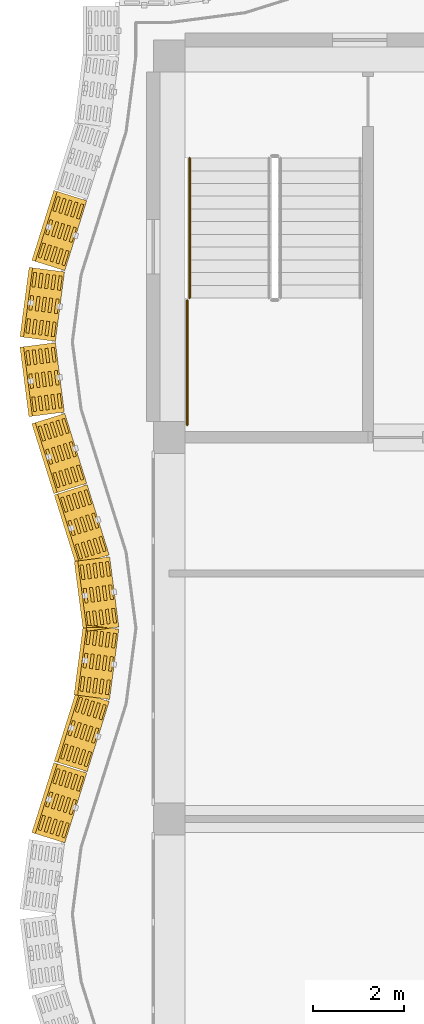
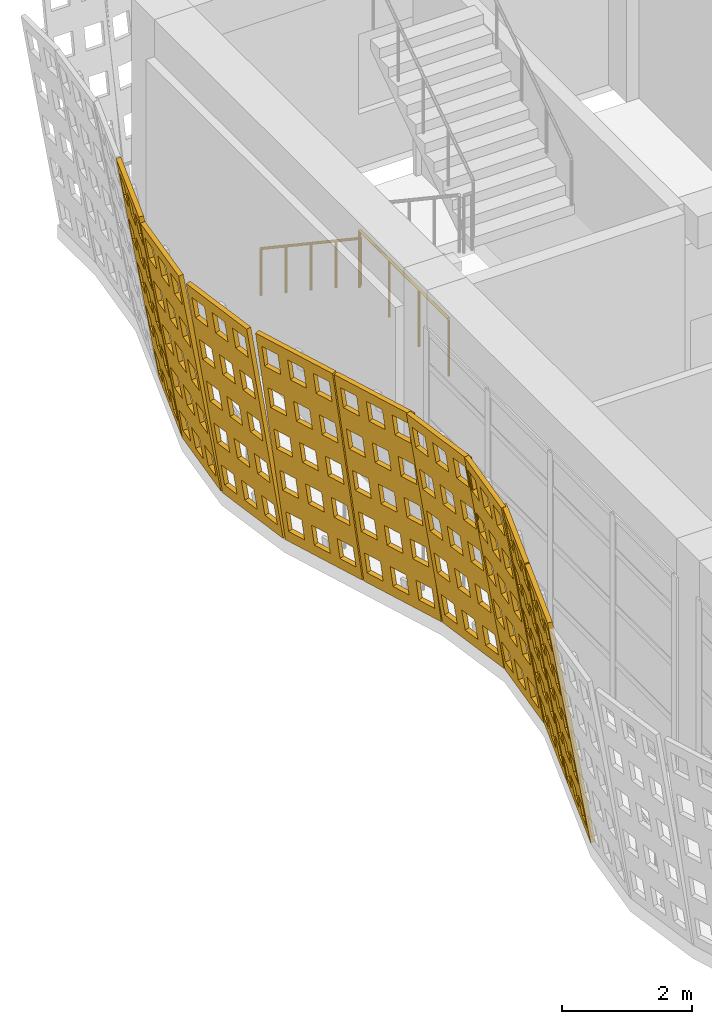
# One storey, part 157 of 163: 9 coverings, 2 railings.
"""IFC4 building model written with IfcOpenShell, lengths in metres."""

from ifc_helpers import new_model, si_unit, direction, frame, origin, origin_2d, place, context, subcontext, project, spatial, polyline, circle, outline, extrude, material, layer, layer_set, type_object, element, save


model = new_model("IFC4")

# Units and contexts
model_context = context("Model", 3, precision=1e-05, world=origin(), true_north=direction((0.0, 1.0)))
body_context = subcontext(model_context, "Body", "Model", "MODEL_VIEW")
ifc_project = project(units=[si_unit("LENGTHUNIT", "METRE"), si_unit("AREAUNIT", "SQUARE_METRE"), si_unit("VOLUMEUNIT", "CUBIC_METRE"), si_unit("PLANEANGLEUNIT", "RADIAN"), si_unit("MASSUNIT", "GRAM", prefix="KILO")], contexts=[model_context])

# Site, building, storey
site_placement = place(None, origin())
site = spatial("IfcSite", under=ifc_project, at=site_placement, CompositionType="ELEMENT")
building_placement = place(site_placement, origin())
building = spatial("IfcBuilding", under=site, at=building_placement, Name="Rain Tree Exposition and Congress Centre", CompositionType="ELEMENT")
storey_placement = place(building_placement, frame((0.0, 0.0, 10.5)))
storey = spatial("IfcBuildingStorey", under=building, at=storey_placement, Name="L02", CompositionType="ELEMENT", Elevation=10.5)

# Coverings
ifc_material_1 = material(Name="Perforated terracotta", Category="masonry")
ifc_layer = layer(ifc_material_1, 0.080078125)
ifc_layer_set = layer_set([ifc_layer], Name="Perforated terracotta")
covering_type = type_object("IfcCoveringType", Name="Terracotta screen 80", PredefinedType="CLADDING", material=ifc_layer_set)
covering_1_placement = place(storey_placement, frame((-1.8876953125, 47.25, 0.0), z_axis=(0.942029390639, -0.295717964052, 0.158529217842), x_axis=(0.29950542383, 0.954094597562, 0.0)))
element("IfcCovering", 1, at=covering_1_placement, inside=storey, type_object=covering_type, Name="wing/screen/L02/105", PredefinedType="CLADDING", context=body_context, shape_type="SweptSolid", body=[
    extrude(outline(polyline([(-1.62890625, 0.0), (-1.62890625, 4.291259765625), (-0.014892578125, 4.291259765625), (-0.014892578125, 0.0), (-1.62890625, 0.0)]), holes=[polyline([(-0.1171875, 0.221435546875), (-0.1171875, 0.63671875), (-0.45068359375, 0.63671875), (-0.45068359375, 0.221435546875), (-0.1171875, 0.221435546875)]), polyline([(-0.1171875, 1.07958984375), (-0.1171875, 1.4951171875), (-0.45068359375, 1.4951171875), (-0.45068359375, 1.07958984375), (-0.1171875, 1.07958984375)]), polyline([(-0.1171875, 1.93798828125), (-0.1171875, 2.353271484375), (-0.45068359375, 2.353271484375), (-0.45068359375, 1.93798828125), (-0.1171875, 1.93798828125)]), polyline([(-0.1171875, 2.796142578125), (-0.1171875, 3.21142578125), (-0.45068359375, 3.21142578125), (-0.45068359375, 2.796142578125), (-0.1171875, 2.796142578125)]), polyline([(-0.1171875, 3.654541015625), (-0.1171875, 4.06982421875), (-0.45068359375, 4.06982421875), (-0.45068359375, 3.654541015625), (-0.1171875, 3.654541015625)]), polyline([(-0.6552734375, 0.221435546875), (-0.6552734375, 0.63671875), (-0.98876953125, 0.63671875), (-0.98876953125, 0.221435546875), (-0.6552734375, 0.221435546875)]), polyline([(-0.6552734375, 1.07958984375), (-0.6552734375, 1.4951171875), (-0.98876953125, 1.4951171875), (-0.98876953125, 1.07958984375), (-0.6552734375, 1.07958984375)]), polyline([(-0.6552734375, 1.93798828125), (-0.6552734375, 2.353271484375), (-0.98876953125, 2.353271484375), (-0.98876953125, 1.93798828125), (-0.6552734375, 1.93798828125)]), polyline([(-0.6552734375, 2.796142578125), (-0.6552734375, 3.21142578125), (-0.98876953125, 3.21142578125), (-0.98876953125, 2.796142578125), (-0.6552734375, 2.796142578125)]), polyline([(-0.6552734375, 3.654541015625), (-0.6552734375, 4.06982421875), (-0.98876953125, 4.06982421875), (-0.98876953125, 3.654541015625), (-0.6552734375, 3.654541015625)]), polyline([(-1.193115234375, 0.221435546875), (-1.193115234375, 0.63671875), (-1.526611328125, 0.63671875), (-1.526611328125, 0.221435546875), (-1.193115234375, 0.221435546875)]), polyline([(-1.193115234375, 1.07958984375), (-1.193115234375, 1.4951171875), (-1.526611328125, 1.4951171875), (-1.526611328125, 1.07958984375), (-1.193115234375, 1.07958984375)]), polyline([(-1.193115234375, 1.93798828125), (-1.193115234375, 2.353271484375), (-1.526611328125, 2.353271484375), (-1.526611328125, 1.93798828125), (-1.193115234375, 1.93798828125)]), polyline([(-1.193115234375, 2.796142578125), (-1.193115234375, 3.21142578125), (-1.526611328125, 3.21142578125), (-1.526611328125, 2.796142578125), (-1.193115234375, 2.796142578125)]), polyline([(-1.193115234375, 3.654541015625), (-1.193115234375, 4.06982421875), (-1.526611328125, 4.06982421875), (-1.526611328125, 3.654541015625), (-1.193115234375, 3.654541015625)])]), origin(), (0.0, 0.0, 1.0), 0.080078125),
])
covering_2_placement = place(storey_placement, frame((-2.382568359375, 45.675048828125, 0.0), z_axis=(0.978036007662, -0.127967328105, 0.16452942185), x_axis=(0.129735338481, 0.991548658387, 0.0)))
element("IfcCovering", 2, at=covering_2_placement, inside=storey, type_object=covering_type, Name="wing/screen/L02/106", PredefinedType="CLADDING", context=body_context, shape_type="SweptSolid", body=[
    extrude(outline(polyline([(-1.56298828125, 0.0), (-1.56298828125, 4.295166015625), (-0.02197265625, 4.295166015625), (-0.02197265625, 0.0), (-1.56298828125, 0.0)]), holes=[polyline([(-0.11962890625, 0.2216796875), (-0.11962890625, 0.63720703125), (-0.43798828125, 0.63720703125), (-0.43798828125, 0.2216796875), (-0.11962890625, 0.2216796875)]), polyline([(-0.11962890625, 1.080810546875), (-0.11962890625, 1.496337890625), (-0.43798828125, 1.496337890625), (-0.43798828125, 1.080810546875), (-0.11962890625, 1.080810546875)]), polyline([(-0.11962890625, 1.939697265625), (-0.11962890625, 2.35546875), (-0.43798828125, 2.35546875), (-0.43798828125, 1.939697265625), (-0.11962890625, 1.939697265625)]), polyline([(-0.11962890625, 2.798583984375), (-0.11962890625, 3.21435546875), (-0.43798828125, 3.21435546875), (-0.43798828125, 2.798583984375), (-0.11962890625, 2.798583984375)]), polyline([(-0.11962890625, 3.65771484375), (-0.11962890625, 4.073486328125), (-0.43798828125, 4.073486328125), (-0.43798828125, 3.65771484375), (-0.11962890625, 3.65771484375)]), polyline([(-0.63330078125, 0.2216796875), (-0.63330078125, 0.63720703125), (-0.95166015625, 0.63720703125), (-0.95166015625, 0.2216796875), (-0.63330078125, 0.2216796875)]), polyline([(-0.63330078125, 1.080810546875), (-0.63330078125, 1.496337890625), (-0.95166015625, 1.496337890625), (-0.95166015625, 1.080810546875), (-0.63330078125, 1.080810546875)]), polyline([(-0.63330078125, 1.939697265625), (-0.63330078125, 2.35546875), (-0.95166015625, 2.35546875), (-0.95166015625, 1.939697265625), (-0.63330078125, 1.939697265625)]), polyline([(-0.63330078125, 2.798583984375), (-0.63330078125, 3.21435546875), (-0.95166015625, 3.21435546875), (-0.95166015625, 2.798583984375), (-0.63330078125, 2.798583984375)]), polyline([(-0.63330078125, 3.65771484375), (-0.63330078125, 4.073486328125), (-0.95166015625, 4.073486328125), (-0.95166015625, 3.65771484375), (-0.63330078125, 3.65771484375)]), polyline([(-1.146728515625, 0.2216796875), (-1.146728515625, 0.63720703125), (-1.46533203125, 0.63720703125), (-1.46533203125, 0.2216796875), (-1.146728515625, 0.2216796875)]), polyline([(-1.146728515625, 1.080810546875), (-1.146728515625, 1.496337890625), (-1.46533203125, 1.496337890625), (-1.46533203125, 1.080810546875), (-1.146728515625, 1.080810546875)]), polyline([(-1.146728515625, 1.939697265625), (-1.146728515625, 2.35546875), (-1.46533203125, 2.35546875), (-1.46533203125, 1.939697265625), (-1.146728515625, 1.939697265625)]), polyline([(-1.146728515625, 2.798583984375), (-1.146728515625, 3.21435546875), (-1.46533203125, 3.21435546875), (-1.46533203125, 2.798583984375), (-1.146728515625, 2.798583984375)]), polyline([(-1.146728515625, 3.65771484375), (-1.146728515625, 4.073486328125), (-1.46533203125, 4.073486328125), (-1.46533203125, 3.65771484375), (-1.146728515625, 3.65771484375)])]), origin(), (0.0, 0.0, 1.0), 0.080078125),
])
covering_3_placement = place(storey_placement, frame((-2.587646484375, 44.10009765625, 0.0), z_axis=(0.978413018317, 0.124968640969, 0.164592844203), x_axis=(-0.126696580272, 0.991941518713, 0.0)))
element("IfcCovering", 3, at=covering_3_placement, inside=storey, type_object=covering_type, Name="wing/screen/L02/107", PredefinedType="CLADDING", context=body_context, shape_type="SweptSolid", body=[
    extrude(outline(polyline([(-1.56640625, 0.0), (-1.56640625, 4.295166015625), (-0.025390625, 4.295166015625), (-0.025390625, 0.0), (-1.56640625, 0.0)]), holes=[polyline([(-0.123046875, 0.2216796875), (-0.123046875, 0.63720703125), (-0.44140625, 0.63720703125), (-0.44140625, 0.2216796875), (-0.123046875, 0.2216796875)]), polyline([(-0.123046875, 1.080810546875), (-0.123046875, 1.496337890625), (-0.44140625, 1.496337890625), (-0.44140625, 1.080810546875), (-0.123046875, 1.080810546875)]), polyline([(-0.123046875, 1.939697265625), (-0.123046875, 2.35546875), (-0.44140625, 2.35546875), (-0.44140625, 1.939697265625), (-0.123046875, 1.939697265625)]), polyline([(-0.123046875, 2.798583984375), (-0.123046875, 3.21435546875), (-0.44140625, 3.21435546875), (-0.44140625, 2.798583984375), (-0.123046875, 2.798583984375)]), polyline([(-0.123046875, 3.65771484375), (-0.123046875, 4.073486328125), (-0.44140625, 4.073486328125), (-0.44140625, 3.65771484375), (-0.123046875, 3.65771484375)]), polyline([(-0.63671875, 0.2216796875), (-0.63671875, 0.63720703125), (-0.955078125, 0.63720703125), (-0.955078125, 0.2216796875), (-0.63671875, 0.2216796875)]), polyline([(-0.63671875, 1.080810546875), (-0.63671875, 1.496337890625), (-0.955078125, 1.496337890625), (-0.955078125, 1.080810546875), (-0.63671875, 1.080810546875)]), polyline([(-0.63671875, 1.939697265625), (-0.63671875, 2.35546875), (-0.955078125, 2.35546875), (-0.955078125, 1.939697265625), (-0.63671875, 1.939697265625)]), polyline([(-0.63671875, 2.798583984375), (-0.63671875, 3.21435546875), (-0.955078125, 3.21435546875), (-0.955078125, 2.798583984375), (-0.63671875, 2.798583984375)]), polyline([(-0.63671875, 3.65771484375), (-0.63671875, 4.073486328125), (-0.955078125, 4.073486328125), (-0.955078125, 3.65771484375), (-0.63671875, 3.65771484375)]), polyline([(-1.150146484375, 0.2216796875), (-1.150146484375, 0.63720703125), (-1.46875, 0.63720703125), (-1.46875, 0.2216796875), (-1.150146484375, 0.2216796875)]), polyline([(-1.150146484375, 1.080810546875), (-1.150146484375, 1.496337890625), (-1.46875, 1.496337890625), (-1.46875, 1.080810546875), (-1.150146484375, 1.080810546875)]), polyline([(-1.150146484375, 1.939697265625), (-1.150146484375, 2.35546875), (-1.46875, 2.35546875), (-1.46875, 1.939697265625), (-1.150146484375, 1.939697265625)]), polyline([(-1.150146484375, 2.798583984375), (-1.150146484375, 3.21435546875), (-1.46875, 3.21435546875), (-1.46875, 2.798583984375), (-1.150146484375, 2.798583984375)]), polyline([(-1.150146484375, 3.65771484375), (-1.150146484375, 4.073486328125), (-1.46875, 4.073486328125), (-1.46875, 3.65771484375), (-1.150146484375, 3.65771484375)])]), origin(), (0.0, 0.0, 1.0), 0.080078125),
])
covering_4_placement = place(storey_placement, frame((-2.382568359375, 42.52490234375, 0.0), z_axis=(0.942029390639, 0.295717964052, 0.158529217842), x_axis=(-0.29950542383, 0.954094597562, 0.0)))
element("IfcCovering", 4, at=covering_4_placement, inside=storey, type_object=covering_type, Name="wing/screen/L02/108", PredefinedType="CLADDING", context=body_context, shape_type="SweptSolid", body=[
    extrude(outline(polyline([(-1.635986328125, 0.0), (-1.635986328125, 4.291259765625), (-0.02197265625, 4.291259765625), (-0.02197265625, 0.0), (-1.635986328125, 0.0)]), holes=[polyline([(-0.124267578125, 0.221435546875), (-0.124267578125, 0.63671875), (-0.457763671875, 0.63671875), (-0.457763671875, 0.221435546875), (-0.124267578125, 0.221435546875)]), polyline([(-0.124267578125, 1.07958984375), (-0.124267578125, 1.4951171875), (-0.457763671875, 1.4951171875), (-0.457763671875, 1.07958984375), (-0.124267578125, 1.07958984375)]), polyline([(-0.124267578125, 1.93798828125), (-0.124267578125, 2.353271484375), (-0.457763671875, 2.353271484375), (-0.457763671875, 1.93798828125), (-0.124267578125, 1.93798828125)]), polyline([(-0.124267578125, 2.796142578125), (-0.124267578125, 3.21142578125), (-0.457763671875, 3.21142578125), (-0.457763671875, 2.796142578125), (-0.124267578125, 2.796142578125)]), polyline([(-0.124267578125, 3.654541015625), (-0.124267578125, 4.06982421875), (-0.457763671875, 4.06982421875), (-0.457763671875, 3.654541015625), (-0.124267578125, 3.654541015625)]), polyline([(-0.662109375, 0.221435546875), (-0.662109375, 0.63671875), (-0.995849609375, 0.63671875), (-0.995849609375, 0.221435546875), (-0.662109375, 0.221435546875)]), polyline([(-0.662109375, 1.07958984375), (-0.662109375, 1.4951171875), (-0.995849609375, 1.4951171875), (-0.995849609375, 1.07958984375), (-0.662109375, 1.07958984375)]), polyline([(-0.662109375, 1.93798828125), (-0.662109375, 2.353271484375), (-0.995849609375, 2.353271484375), (-0.995849609375, 1.93798828125), (-0.662109375, 1.93798828125)]), polyline([(-0.662109375, 2.796142578125), (-0.662109375, 3.21142578125), (-0.995849609375, 3.21142578125), (-0.995849609375, 2.796142578125), (-0.662109375, 2.796142578125)]), polyline([(-0.662109375, 3.654541015625), (-0.662109375, 4.06982421875), (-0.995849609375, 4.06982421875), (-0.995849609375, 3.654541015625), (-0.662109375, 3.654541015625)]), polyline([(-1.2001953125, 0.221435546875), (-1.2001953125, 0.63671875), (-1.53369140625, 0.63671875), (-1.53369140625, 0.221435546875), (-1.2001953125, 0.221435546875)]), polyline([(-1.2001953125, 1.07958984375), (-1.2001953125, 1.4951171875), (-1.53369140625, 1.4951171875), (-1.53369140625, 1.07958984375), (-1.2001953125, 1.07958984375)]), polyline([(-1.2001953125, 1.93798828125), (-1.2001953125, 2.353271484375), (-1.53369140625, 2.353271484375), (-1.53369140625, 1.93798828125), (-1.2001953125, 1.93798828125)]), polyline([(-1.2001953125, 2.796142578125), (-1.2001953125, 3.21142578125), (-1.53369140625, 3.21142578125), (-1.53369140625, 2.796142578125), (-1.2001953125, 2.796142578125)]), polyline([(-1.2001953125, 3.654541015625), (-1.2001953125, 4.06982421875), (-1.53369140625, 4.06982421875), (-1.53369140625, 3.654541015625), (-1.2001953125, 3.654541015625)])]), origin(), (0.0, 0.0, 1.0), 0.080078125),
])
covering_5_placement = place(storey_placement, frame((-1.8876953125, 40.949951171875, 0.0), z_axis=(0.942029390639, 0.295717964052, 0.158529217842), x_axis=(-0.29950542383, 0.954094597562, 0.0)))
element("IfcCovering", 5, at=covering_5_placement, inside=storey, type_object=covering_type, Name="wing/screen/L02/109", PredefinedType="CLADDING", context=body_context, shape_type="SweptSolid", body=[
    extrude(outline(polyline([(-1.635986328125, 0.0), (-1.635986328125, 4.291259765625), (-0.014892578125, 4.291259765625), (-0.014892578125, 0.0), (-1.635986328125, 0.0)]), holes=[polyline([(-0.11767578125, 0.221435546875), (-0.11767578125, 0.63671875), (-0.45263671875, 0.63671875), (-0.45263671875, 0.221435546875), (-0.11767578125, 0.221435546875)]), polyline([(-0.11767578125, 1.07958984375), (-0.11767578125, 1.4951171875), (-0.45263671875, 1.4951171875), (-0.45263671875, 1.07958984375), (-0.11767578125, 1.07958984375)]), polyline([(-0.11767578125, 1.93798828125), (-0.11767578125, 2.353271484375), (-0.45263671875, 2.353271484375), (-0.45263671875, 1.93798828125), (-0.11767578125, 1.93798828125)]), polyline([(-0.11767578125, 2.796142578125), (-0.11767578125, 3.21142578125), (-0.45263671875, 3.21142578125), (-0.45263671875, 2.796142578125), (-0.11767578125, 2.796142578125)]), polyline([(-0.11767578125, 3.654541015625), (-0.11767578125, 4.06982421875), (-0.45263671875, 4.06982421875), (-0.45263671875, 3.654541015625), (-0.11767578125, 3.654541015625)]), polyline([(-0.657958984375, 0.221435546875), (-0.657958984375, 0.63671875), (-0.992919921875, 0.63671875), (-0.992919921875, 0.221435546875), (-0.657958984375, 0.221435546875)]), polyline([(-0.657958984375, 1.07958984375), (-0.657958984375, 1.4951171875), (-0.992919921875, 1.4951171875), (-0.992919921875, 1.07958984375), (-0.657958984375, 1.07958984375)]), polyline([(-0.657958984375, 1.93798828125), (-0.657958984375, 2.353271484375), (-0.992919921875, 2.353271484375), (-0.992919921875, 1.93798828125), (-0.657958984375, 1.93798828125)]), polyline([(-0.657958984375, 2.796142578125), (-0.657958984375, 3.21142578125), (-0.992919921875, 3.21142578125), (-0.992919921875, 2.796142578125), (-0.657958984375, 2.796142578125)]), polyline([(-0.657958984375, 3.654541015625), (-0.657958984375, 4.06982421875), (-0.992919921875, 4.06982421875), (-0.992919921875, 3.654541015625), (-0.657958984375, 3.654541015625)]), polyline([(-1.1982421875, 0.221435546875), (-1.1982421875, 0.63671875), (-1.533203125, 0.63671875), (-1.533203125, 0.221435546875), (-1.1982421875, 0.221435546875)]), polyline([(-1.1982421875, 1.07958984375), (-1.1982421875, 1.4951171875), (-1.533203125, 1.4951171875), (-1.533203125, 1.07958984375), (-1.1982421875, 1.07958984375)]), polyline([(-1.1982421875, 1.93798828125), (-1.1982421875, 2.353271484375), (-1.533203125, 2.353271484375), (-1.533203125, 1.93798828125), (-1.1982421875, 1.93798828125)]), polyline([(-1.1982421875, 2.796142578125), (-1.1982421875, 3.21142578125), (-1.533203125, 3.21142578125), (-1.533203125, 2.796142578125), (-1.1982421875, 2.796142578125)]), polyline([(-1.1982421875, 3.654541015625), (-1.1982421875, 4.06982421875), (-1.533203125, 4.06982421875), (-1.533203125, 3.654541015625), (-1.1982421875, 3.654541015625)])]), origin(), (0.0, 0.0, 1.0), 0.080078125),
])
covering_6_placement = place(storey_placement, frame((-1.392578125, 39.375, 0.0), z_axis=(0.978036007662, 0.127967328105, 0.16452942185), x_axis=(-0.129735338481, 0.991548658387, 0.0)))
element("IfcCovering", 6, at=covering_6_placement, inside=storey, type_object=covering_type, Name="wing/screen/L02/110", PredefinedType="CLADDING", context=body_context, shape_type="SweptSolid", body=[
    extrude(outline(polyline([(-1.5732421875, 0.0), (-1.5732421875, 4.295166015625), (-0.014892578125, 4.295166015625), (-0.014892578125, 0.0), (-1.5732421875, 0.0)]), holes=[polyline([(-0.11376953125, 0.2216796875), (-0.11376953125, 0.63720703125), (-0.435791015625, 0.63720703125), (-0.435791015625, 0.2216796875), (-0.11376953125, 0.2216796875)]), polyline([(-0.11376953125, 1.080810546875), (-0.11376953125, 1.496337890625), (-0.435791015625, 1.496337890625), (-0.435791015625, 1.080810546875), (-0.11376953125, 1.080810546875)]), polyline([(-0.11376953125, 1.939697265625), (-0.11376953125, 2.35546875), (-0.435791015625, 2.35546875), (-0.435791015625, 1.939697265625), (-0.11376953125, 1.939697265625)]), polyline([(-0.11376953125, 2.798583984375), (-0.11376953125, 3.21435546875), (-0.435791015625, 3.21435546875), (-0.435791015625, 2.798583984375), (-0.11376953125, 2.798583984375)]), polyline([(-0.11376953125, 3.65771484375), (-0.11376953125, 4.073486328125), (-0.435791015625, 4.073486328125), (-0.435791015625, 3.65771484375), (-0.11376953125, 3.65771484375)]), polyline([(-0.633056640625, 0.2216796875), (-0.633056640625, 0.63720703125), (-0.955078125, 0.63720703125), (-0.955078125, 0.2216796875), (-0.633056640625, 0.2216796875)]), polyline([(-0.633056640625, 1.080810546875), (-0.633056640625, 1.496337890625), (-0.955078125, 1.496337890625), (-0.955078125, 1.080810546875), (-0.633056640625, 1.080810546875)]), polyline([(-0.633056640625, 1.939697265625), (-0.633056640625, 2.35546875), (-0.955078125, 2.35546875), (-0.955078125, 1.939697265625), (-0.633056640625, 1.939697265625)]), polyline([(-0.633056640625, 2.798583984375), (-0.633056640625, 3.21435546875), (-0.955078125, 3.21435546875), (-0.955078125, 2.798583984375), (-0.633056640625, 2.798583984375)]), polyline([(-0.633056640625, 3.65771484375), (-0.633056640625, 4.073486328125), (-0.955078125, 4.073486328125), (-0.955078125, 3.65771484375), (-0.633056640625, 3.65771484375)]), polyline([(-1.152587890625, 0.2216796875), (-1.152587890625, 0.63720703125), (-1.474609375, 0.63720703125), (-1.474609375, 0.2216796875), (-1.152587890625, 0.2216796875)]), polyline([(-1.152587890625, 1.080810546875), (-1.152587890625, 1.496337890625), (-1.474609375, 1.496337890625), (-1.474609375, 1.080810546875), (-1.152587890625, 1.080810546875)]), polyline([(-1.152587890625, 1.939697265625), (-1.152587890625, 2.35546875), (-1.474609375, 2.35546875), (-1.474609375, 1.939697265625), (-1.152587890625, 1.939697265625)]), polyline([(-1.152587890625, 2.798583984375), (-1.152587890625, 3.21435546875), (-1.474609375, 3.21435546875), (-1.474609375, 2.798583984375), (-1.152587890625, 2.798583984375)]), polyline([(-1.152587890625, 3.65771484375), (-1.152587890625, 4.073486328125), (-1.474609375, 4.073486328125), (-1.474609375, 3.65771484375), (-1.152587890625, 3.65771484375)])]), origin(), (0.0, 0.0, 1.0), 0.080078125),
])
covering_7_placement = place(storey_placement, frame((-1.1875, 37.800048828125, 0.0), z_axis=(0.9779030419, -0.128349774249, 0.165021138321), x_axis=(0.130133906157, 0.991496427865, 0.0)))
element("IfcCovering", 7, at=covering_7_placement, inside=storey, type_object=covering_type, Name="wing/screen/L02/111", PredefinedType="CLADDING", context=body_context, shape_type="SweptSolid", body=[
    extrude(outline(polyline([(-1.5732421875, 0.0), (-1.5732421875, 4.295166015625), (-0.014892578125, 4.295166015625), (-0.014892578125, 0.0), (-1.5732421875, 0.0)]), holes=[polyline([(-0.11376953125, 0.2216796875), (-0.11376953125, 0.63720703125), (-0.435791015625, 0.63720703125), (-0.435791015625, 0.2216796875), (-0.11376953125, 0.2216796875)]), polyline([(-0.11376953125, 1.080810546875), (-0.11376953125, 1.496337890625), (-0.435791015625, 1.496337890625), (-0.435791015625, 1.080810546875), (-0.11376953125, 1.080810546875)]), polyline([(-0.11376953125, 1.939697265625), (-0.11376953125, 2.35546875), (-0.435791015625, 2.35546875), (-0.435791015625, 1.939697265625), (-0.11376953125, 1.939697265625)]), polyline([(-0.11376953125, 2.798583984375), (-0.11376953125, 3.21435546875), (-0.435791015625, 3.21435546875), (-0.435791015625, 2.798583984375), (-0.11376953125, 2.798583984375)]), polyline([(-0.11376953125, 3.65771484375), (-0.11376953125, 4.073486328125), (-0.435791015625, 4.073486328125), (-0.435791015625, 3.65771484375), (-0.11376953125, 3.65771484375)]), polyline([(-0.633056640625, 0.2216796875), (-0.633056640625, 0.63720703125), (-0.955078125, 0.63720703125), (-0.955078125, 0.2216796875), (-0.633056640625, 0.2216796875)]), polyline([(-0.633056640625, 1.080810546875), (-0.633056640625, 1.496337890625), (-0.955078125, 1.496337890625), (-0.955078125, 1.080810546875), (-0.633056640625, 1.080810546875)]), polyline([(-0.633056640625, 1.939697265625), (-0.633056640625, 2.35546875), (-0.955078125, 2.35546875), (-0.955078125, 1.939697265625), (-0.633056640625, 1.939697265625)]), polyline([(-0.633056640625, 2.798583984375), (-0.633056640625, 3.21435546875), (-0.955078125, 3.21435546875), (-0.955078125, 2.798583984375), (-0.633056640625, 2.798583984375)]), polyline([(-0.633056640625, 3.65771484375), (-0.633056640625, 4.073486328125), (-0.955078125, 4.073486328125), (-0.955078125, 3.65771484375), (-0.633056640625, 3.65771484375)]), polyline([(-1.152587890625, 0.2216796875), (-1.152587890625, 0.63720703125), (-1.474609375, 0.63720703125), (-1.474609375, 0.2216796875), (-1.152587890625, 0.2216796875)]), polyline([(-1.152587890625, 1.080810546875), (-1.152587890625, 1.496337890625), (-1.474609375, 1.496337890625), (-1.474609375, 1.080810546875), (-1.152587890625, 1.080810546875)]), polyline([(-1.152587890625, 1.939697265625), (-1.152587890625, 2.35546875), (-1.474609375, 2.35546875), (-1.474609375, 1.939697265625), (-1.152587890625, 1.939697265625)]), polyline([(-1.152587890625, 2.798583984375), (-1.152587890625, 3.21435546875), (-1.474609375, 3.21435546875), (-1.474609375, 2.798583984375), (-1.152587890625, 2.798583984375)]), polyline([(-1.152587890625, 3.65771484375), (-1.152587890625, 4.073486328125), (-1.474609375, 4.073486328125), (-1.474609375, 3.65771484375), (-1.152587890625, 3.65771484375)])]), origin(), (0.0, 0.0, 1.0), 0.079833984375),
])
covering_8_placement = place(storey_placement, frame((-1.392578125, 36.22509765625, 0.0), z_axis=(0.942029390639, -0.295717964052, 0.158529217842), x_axis=(0.29950542383, 0.954094597562, 0.0)))
element("IfcCovering", 8, at=covering_8_placement, inside=storey, type_object=covering_type, Name="wing/screen/L02/112", PredefinedType="CLADDING", context=body_context, shape_type="SweptSolid", body=[
    extrude(outline(polyline([(-1.635986328125, 0.0), (-1.635986328125, 4.291259765625), (-0.014892578125, 4.291259765625), (-0.014892578125, 0.0), (-1.635986328125, 0.0)]), holes=[polyline([(-0.11767578125, 0.221435546875), (-0.11767578125, 0.63671875), (-0.45263671875, 0.63671875), (-0.45263671875, 0.221435546875), (-0.11767578125, 0.221435546875)]), polyline([(-0.11767578125, 1.07958984375), (-0.11767578125, 1.4951171875), (-0.45263671875, 1.4951171875), (-0.45263671875, 1.07958984375), (-0.11767578125, 1.07958984375)]), polyline([(-0.11767578125, 1.93798828125), (-0.11767578125, 2.353271484375), (-0.45263671875, 2.353271484375), (-0.45263671875, 1.93798828125), (-0.11767578125, 1.93798828125)]), polyline([(-0.11767578125, 2.796142578125), (-0.11767578125, 3.21142578125), (-0.45263671875, 3.21142578125), (-0.45263671875, 2.796142578125), (-0.11767578125, 2.796142578125)]), polyline([(-0.11767578125, 3.654541015625), (-0.11767578125, 4.06982421875), (-0.45263671875, 4.06982421875), (-0.45263671875, 3.654541015625), (-0.11767578125, 3.654541015625)]), polyline([(-0.657958984375, 0.221435546875), (-0.657958984375, 0.63671875), (-0.992919921875, 0.63671875), (-0.992919921875, 0.221435546875), (-0.657958984375, 0.221435546875)]), polyline([(-0.657958984375, 1.07958984375), (-0.657958984375, 1.4951171875), (-0.992919921875, 1.4951171875), (-0.992919921875, 1.07958984375), (-0.657958984375, 1.07958984375)]), polyline([(-0.657958984375, 1.93798828125), (-0.657958984375, 2.353271484375), (-0.992919921875, 2.353271484375), (-0.992919921875, 1.93798828125), (-0.657958984375, 1.93798828125)]), polyline([(-0.657958984375, 2.796142578125), (-0.657958984375, 3.21142578125), (-0.992919921875, 3.21142578125), (-0.992919921875, 2.796142578125), (-0.657958984375, 2.796142578125)]), polyline([(-0.657958984375, 3.654541015625), (-0.657958984375, 4.06982421875), (-0.992919921875, 4.06982421875), (-0.992919921875, 3.654541015625), (-0.657958984375, 3.654541015625)]), polyline([(-1.1982421875, 0.221435546875), (-1.1982421875, 0.63671875), (-1.533203125, 0.63671875), (-1.533203125, 0.221435546875), (-1.1982421875, 0.221435546875)]), polyline([(-1.1982421875, 1.07958984375), (-1.1982421875, 1.4951171875), (-1.533203125, 1.4951171875), (-1.533203125, 1.07958984375), (-1.1982421875, 1.07958984375)]), polyline([(-1.1982421875, 1.93798828125), (-1.1982421875, 2.353271484375), (-1.533203125, 2.353271484375), (-1.533203125, 1.93798828125), (-1.1982421875, 1.93798828125)]), polyline([(-1.1982421875, 2.796142578125), (-1.1982421875, 3.21142578125), (-1.533203125, 3.21142578125), (-1.533203125, 2.796142578125), (-1.1982421875, 2.796142578125)]), polyline([(-1.1982421875, 3.654541015625), (-1.1982421875, 4.06982421875), (-1.533203125, 4.06982421875), (-1.533203125, 3.654541015625), (-1.1982421875, 3.654541015625)])]), origin(), (0.0, 0.0, 1.0), 0.080078125),
])
covering_9_placement = place(storey_placement, frame((-1.8876953125, 34.64990234375, 0.0), z_axis=(0.942029390639, -0.295717964052, 0.158529217842), x_axis=(0.29950542383, 0.954094597562, 0.0)))
element("IfcCovering", 9, at=covering_9_placement, inside=storey, type_object=covering_type, Name="wing/screen/L02/113", PredefinedType="CLADDING", context=body_context, shape_type="SweptSolid", body=[
    extrude(outline(polyline([(-1.62890625, 0.0), (-1.62890625, 4.291259765625), (-0.014892578125, 4.291259765625), (-0.014892578125, 0.0), (-1.62890625, 0.0)]), holes=[polyline([(-0.1171875, 0.221435546875), (-0.1171875, 0.63671875), (-0.45068359375, 0.63671875), (-0.45068359375, 0.221435546875), (-0.1171875, 0.221435546875)]), polyline([(-0.1171875, 1.07958984375), (-0.1171875, 1.4951171875), (-0.45068359375, 1.4951171875), (-0.45068359375, 1.07958984375), (-0.1171875, 1.07958984375)]), polyline([(-0.1171875, 1.93798828125), (-0.1171875, 2.353271484375), (-0.45068359375, 2.353271484375), (-0.45068359375, 1.93798828125), (-0.1171875, 1.93798828125)]), polyline([(-0.1171875, 2.796142578125), (-0.1171875, 3.21142578125), (-0.45068359375, 3.21142578125), (-0.45068359375, 2.796142578125), (-0.1171875, 2.796142578125)]), polyline([(-0.1171875, 3.654541015625), (-0.1171875, 4.06982421875), (-0.45068359375, 4.06982421875), (-0.45068359375, 3.654541015625), (-0.1171875, 3.654541015625)]), polyline([(-0.6552734375, 0.221435546875), (-0.6552734375, 0.63671875), (-0.98876953125, 0.63671875), (-0.98876953125, 0.221435546875), (-0.6552734375, 0.221435546875)]), polyline([(-0.6552734375, 1.07958984375), (-0.6552734375, 1.4951171875), (-0.98876953125, 1.4951171875), (-0.98876953125, 1.07958984375), (-0.6552734375, 1.07958984375)]), polyline([(-0.6552734375, 1.93798828125), (-0.6552734375, 2.353271484375), (-0.98876953125, 2.353271484375), (-0.98876953125, 1.93798828125), (-0.6552734375, 1.93798828125)]), polyline([(-0.6552734375, 2.796142578125), (-0.6552734375, 3.21142578125), (-0.98876953125, 3.21142578125), (-0.98876953125, 2.796142578125), (-0.6552734375, 2.796142578125)]), polyline([(-0.6552734375, 3.654541015625), (-0.6552734375, 4.06982421875), (-0.98876953125, 4.06982421875), (-0.98876953125, 3.654541015625), (-0.6552734375, 3.654541015625)]), polyline([(-1.193115234375, 0.221435546875), (-1.193115234375, 0.63671875), (-1.526611328125, 0.63671875), (-1.526611328125, 0.221435546875), (-1.193115234375, 0.221435546875)]), polyline([(-1.193115234375, 1.07958984375), (-1.193115234375, 1.4951171875), (-1.526611328125, 1.4951171875), (-1.526611328125, 1.07958984375), (-1.193115234375, 1.07958984375)]), polyline([(-1.193115234375, 1.93798828125), (-1.193115234375, 2.353271484375), (-1.526611328125, 2.353271484375), (-1.526611328125, 1.93798828125), (-1.193115234375, 1.93798828125)]), polyline([(-1.193115234375, 2.796142578125), (-1.193115234375, 3.21142578125), (-1.526611328125, 3.21142578125), (-1.526611328125, 2.796142578125), (-1.193115234375, 2.796142578125)]), polyline([(-1.193115234375, 3.654541015625), (-1.193115234375, 4.06982421875), (-1.526611328125, 4.06982421875), (-1.526611328125, 3.654541015625), (-1.193115234375, 3.654541015625)])]), origin(), (0.0, 0.0, 1.0), 0.080078125),
])

# Railings
ifc_material_2 = material(Name="Steel S355J2H", Category="steel")
railing_type_1 = type_object("IfcRailingType", Name="Wing stair guard 1100", PredefinedType="GUARDRAIL", material=ifc_material_2)
railing_1_placement = place(storey_placement, frame((0.39697265625, 45.02001953125, 2.25)))
element("IfcRailing", 10, at=railing_1_placement, inside=storey, type_object=railing_type_1, Name="wing/stair/ST-W3-L02-LG1", PredefinedType="GUARDRAIL", context=body_context, shape_type="SweptSolid", body=[
    extrude(circle(Radius=0.02392578125, at=origin_2d()), frame((0.0, 0.0, 1.076171875), z_axis=(0.0, -1.0, 0.0), x_axis=(1.0, 0.0, 0.0)), (0.0, 0.0, 1.0), 2.748046875),
    extrude(circle(Radius=0.02099609375, at=origin_2d()), origin(), (0.0, 0.0, 1.0), 1.052001953125),
    extrude(circle(Radius=0.02099609375, at=origin_2d()), frame((0.0, -0.916015625, 0.0)), (0.0, 0.0, 1.0), 1.052001953125),
    extrude(circle(Radius=0.02099609375, at=origin_2d()), frame((0.0, -1.83203125, 0.0)), (0.0, 0.0, 1.0), 1.052001953125),
    extrude(circle(Radius=0.02099609375, at=origin_2d()), frame((0.0, -2.748046875, 0.0)), (0.0, 0.0, 1.0), 1.052001953125),
])
ifc_material_3 = material(Name="Steel S355J2H", Category="steel")
railing_type_2 = type_object("IfcRailingType", Name="Wing stair handrail 900", PredefinedType="HANDRAIL", material=ifc_material_3)
railing_2_placement = place(storey_placement, frame((0.449951171875, 48.14990234375, 0.1875)))
element("IfcRailing", 11, at=railing_2_placement, inside=storey, type_object=railing_type_2, Name="L02 ST-W3 stair handrail 1", PredefinedType="HANDRAIL", context=body_context, shape_type="SweptSolid", body=[
    extrude(circle(Radius=0.02392578125, at=origin_2d()), frame((0.0, 0.0, 0.8759765625), z_axis=(0.0, -0.830893310487, 0.556431762742), x_axis=(1.0, 0.0, 0.0)), (0.0, 0.0, 1.0), 3.70654296875),
    extrude(circle(Radius=0.02099609375, at=origin_2d()), origin(), (0.0, 0.0, 1.0), 0.851806640625),
    extrude(circle(Radius=0.02099609375, at=origin_2d()), frame((0.0, -0.77001953125, 0.515625)), (0.0, 0.0, 1.0), 0.851806640625),
    extrude(circle(Radius=0.02099609375, at=origin_2d()), frame((0.0, -1.5400390625, 1.03125)), (0.0, 0.0, 1.0), 0.851806640625),
    extrude(circle(Radius=0.02099609375, at=origin_2d()), frame((0.0, -2.309814453125, 1.546875)), (0.0, 0.0, 1.0), 0.851806640625),
    extrude(circle(Radius=0.02099609375, at=origin_2d()), frame((0.0, -3.079833984375, 2.0625)), (0.0, 0.0, 1.0), 0.851806640625),
])

save(model, "model.ifc")
